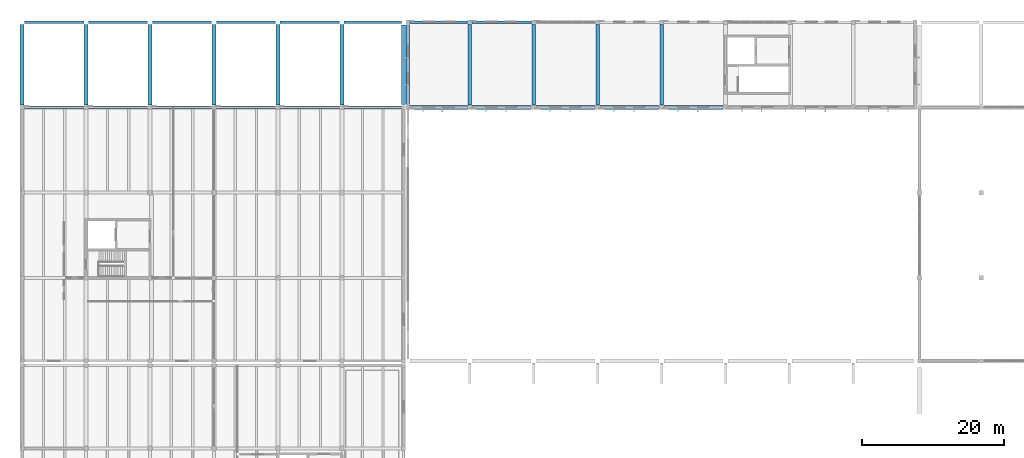
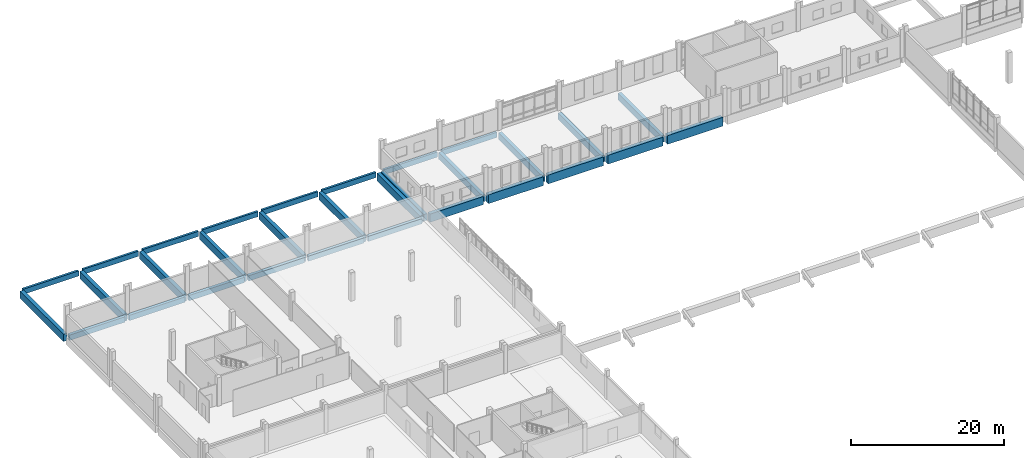
# One storey, part 23 of 63: 31 beams.
"""IFC4 building model written with IfcOpenShell, lengths in metres."""

from ifc_helpers import new_model, si_unit, direction, frame, origin, origin_2d, place, context, subcontext, project, spatial, rectangle, extrude, material, material_profile, profile_set, type_object, element, save


model = new_model("IFC4")

# Units and contexts
model_context = context("Model", 3, precision=1e-05, world=origin(), true_north=direction((0.0, 1.0)))
body_context = subcontext(model_context, "Body", "Model", "MODEL_VIEW")
ifc_project = project(units=[si_unit("LENGTHUNIT", "METRE"), si_unit("AREAUNIT", "SQUARE_METRE"), si_unit("VOLUMEUNIT", "CUBIC_METRE"), si_unit("PLANEANGLEUNIT", "RADIAN"), si_unit("MASSUNIT", "GRAM", prefix="KILO")], contexts=[model_context])

# Site, building, storey
site_placement = place(None, origin())
site = spatial("IfcSite", under=ifc_project, at=site_placement, CompositionType="ELEMENT")
building_placement = place(site_placement, origin())
building = spatial("IfcBuilding", under=site, at=building_placement, Name="Zacnel Wholesale Market", CompositionType="ELEMENT")
storey_placement = place(building_placement, frame((0.0, 0.0, 11.199951171875)))
storey = spatial("IfcBuildingStorey", under=building, at=storey_placement, Name="L03", CompositionType="ELEMENT", Elevation=11.199951171875)

# Beams
ifc_material_1 = material(Name="Precast concrete C45/55", Category="concrete")
ifc_material_profile_1 = material_profile(ifc_material_1, rectangle(XDim=0.5, YDim=1.050048828125, at=origin_2d()), Name="PG 500x1050")
ifc_profile_set_1 = profile_set([ifc_material_profile_1], Name="Precast concrete C45/55")
beam_type_1 = type_object("IfcBeamType", Name="BM-PG1050", PredefinedType="T_BEAM", material=ifc_profile_set_1)
beam_1_placement = place(storey_placement, frame((72.300048828125, 132.375, -0.804931640625), z_axis=(0.0, 1.0, 0.0), x_axis=(-1.0, 0.0, 0.0)))
element("IfcBeam", 1, at=beam_1_placement, inside=storey, type_object=beam_type_1, Name="Precast girder Y-0886", PredefinedType="T_BEAM", context=body_context, shape_type="SweptSolid", body=[
    extrude(rectangle(XDim=0.5, YDim=1.050048828125, at=origin_2d()), origin(), (0.0, 0.0, 1.0), 11.25),
])
for number, where, z_axis, x_axis, name in (
    (2, (81.0, 132.35009765625, -0.804931640625), (0.0, 1.0, 0.0), (-1.0, 0.0, 0.0), "Precast girder Y-0892"),
    (3, (90.0, 132.35009765625, -0.804931640625), (0.0, 1.0, 0.0), (-1.0, 0.0, 0.0), "Precast girder Y-0898"),
    (4, (99.0, 132.35009765625, -0.804931640625), (0.0, 1.0, 0.0), (-1.0, 0.0, 0.0), "Precast girder Y-0904"),
    (5, (108.0, 132.35009765625, -0.804931640625), (0.0, 1.0, 0.0), (-1.0, 0.0, 0.0), "Precast girder Y-0906"),
):
    element("IfcBeam", number, at=place(storey_placement, frame(where, z_axis=z_axis, x_axis=x_axis)), inside=storey, type_object=beam_type_1, Name=name, PredefinedType="T_BEAM", context=body_context, shape_type="SweptSolid", body=[
        extrude(rectangle(XDim=0.5, YDim=1.050048828125, at=origin_2d()), origin(), (0.0, 0.0, 1.0), 11.324951171875),
    ])
ifc_material_2 = material(Name="Precast concrete C45/55", Category="concrete")
ifc_material_profile_2 = material_profile(ifc_material_2, rectangle(XDim=0.550048828125, YDim=1.14990234375, at=origin_2d()), Name="PG 550x1150")
ifc_profile_set_2 = profile_set([ifc_material_profile_2], Name="Precast concrete C45/55")
beam_type_2 = type_object("IfcBeamType", Name="BM-PG1150", PredefinedType="T_BEAM", material=ifc_profile_set_2)
for number, where, z_axis, x_axis, name in (
    (6, (18.0, 132.324951171875, -0.875), (0.0, 1.0, 0.0), (-1.0, 0.0, 0.0), "Precast girder Y-0810"),
    (7, (27.0, 132.324951171875, -0.875), (0.0, 1.0, 0.0), (-1.0, 0.0, 0.0), "Precast girder Y-0822"),
    (8, (36.0, 132.324951171875, -0.875), (0.0, 1.0, 0.0), (-1.0, 0.0, 0.0), "Precast girder Y-0834"),
    (9, (45.0, 132.324951171875, -0.875), (0.0, 1.0, 0.0), (-1.0, 0.0, 0.0), "Precast girder Y-0846"),
    (10, (54.0, 132.324951171875, -0.875), (0.0, 1.0, 0.0), (-1.0, 0.0, 0.0), "Precast girder Y-0858"),
    (11, (63.0, 132.324951171875, -0.875), (0.0, 1.0, 0.0), (-1.0, 0.0, 0.0), "Precast girder Y-0870"),
):
    element("IfcBeam", number, at=place(storey_placement, frame(where, z_axis=z_axis, x_axis=x_axis)), inside=storey, type_object=beam_type_2, Name=name, PredefinedType="T_BEAM", context=body_context, shape_type="SweptSolid", body=[
        extrude(rectangle(XDim=0.550048828125, YDim=1.14990234375, at=origin_2d()), origin(), (0.0, 0.0, 1.0), 11.35009765625),
    ])
beam_2_placement = place(storey_placement, frame((71.699951171875, 132.375, -0.875), z_axis=(0.0, 1.0, 0.0), x_axis=(-1.0, 0.0, 0.0)))
element("IfcBeam", 12, at=beam_2_placement, inside=storey, type_object=beam_type_2, Name="Precast girder Y-0882", PredefinedType="T_BEAM", context=body_context, shape_type="SweptSolid", body=[
    extrude(rectangle(XDim=0.550048828125, YDim=1.14990234375, at=origin_2d()), origin(), (0.0, 0.0, 1.0), 11.25),
])
ifc_material_3 = material(Name="Precast concrete C45/55", Category="concrete")
ifc_material_profile_3 = material_profile(ifc_material_3, rectangle(XDim=0.449951171875, YDim=0.85009765625, at=origin_2d()), Name="PG 450x850")
ifc_profile_set_3 = profile_set([ifc_material_profile_3], Name="Precast concrete C45/55")
beam_type_3 = type_object("IfcBeamType", Name="BM-PG850", PredefinedType="BEAM", material=ifc_profile_set_3)
for number, where, z_axis, x_axis, name in (
    (13, (18.324951171875, 132.0, -0.724853515625), (1.0, 0.0, 0.0), (0.0, 1.0, 0.0), "Precast girder X-0761"),
    (14, (27.324951171875, 132.0, -0.724853515625), (1.0, 0.0, 0.0), (0.0, 1.0, 0.0), "Precast girder X-0762"),
    (15, (36.324951171875, 132.0, -0.724853515625), (1.0, 0.0, 0.0), (0.0, 1.0, 0.0), "Precast girder X-0763"),
    (16, (45.324951171875, 132.0, -0.724853515625), (1.0, 0.0, 0.0), (0.0, 1.0, 0.0), "Precast girder X-0764"),
    (17, (54.324951171875, 132.0, -0.724853515625), (1.0, 0.0, 0.0), (0.0, 1.0, 0.0), "Precast girder X-0765"),
):
    element("IfcBeam", number, at=place(storey_placement, frame(where, z_axis=z_axis, x_axis=x_axis)), inside=storey, type_object=beam_type_3, Name=name, PredefinedType="BEAM", context=body_context, shape_type="SweptSolid", body=[
        extrude(rectangle(XDim=0.449951171875, YDim=0.85009765625, at=origin_2d()), origin(), (0.0, 0.0, 1.0), 8.35009765625),
    ])
beam_3_placement = place(storey_placement, frame((63.324951171875, 132.0, -0.724853515625), z_axis=(1.0, 0.0, 0.0), x_axis=(0.0, 1.0, 0.0)))
element("IfcBeam", 18, at=beam_3_placement, inside=storey, type_object=beam_type_3, Name="Precast girder X-0766", PredefinedType="BEAM", context=body_context, shape_type="SweptSolid", body=[
    extrude(rectangle(XDim=0.449951171875, YDim=0.85009765625, at=origin_2d()), origin(), (0.0, 0.0, 1.0), 8.10009765625),
])
ifc_material_4 = material(Name="Concrete C40/50", Category="concrete")
ifc_material_profile_4 = material_profile(ifc_material_4, rectangle(XDim=0.550048828125, YDim=1.300048828125, at=origin_2d()), Name="PTB 550x1300")
ifc_profile_set_4 = profile_set([ifc_material_profile_4], Name="Concrete C40/50")
beam_type_4 = type_object("IfcBeamType", Name="BM-PTB1300", PredefinedType="BEAM", material=ifc_profile_set_4)
beam_4_placement = place(storey_placement, frame((72.574951171875, 132.0, -0.64990234375), z_axis=(1.0, 0.0, 0.0), x_axis=(0.0, 1.0, 0.0)))
element("IfcBeam", 19, at=beam_4_placement, inside=storey, type_object=beam_type_4, Name="Precast girder X-0767", PredefinedType="BEAM", context=body_context, shape_type="SweptSolid", body=[
    extrude(rectangle(XDim=0.550048828125, YDim=1.300048828125, at=origin_2d()), origin(), (0.0, 0.0, 1.0), 8.074951171875),
])
ifc_material_5 = material(Name="Concrete C40/50", Category="concrete")
ifc_material_profile_5 = material_profile(ifc_material_5, rectangle(XDim=0.60009765625, YDim=1.39990234375, at=origin_2d()), Name="PTB 600x1400")
ifc_profile_set_5 = profile_set([ifc_material_profile_5], Name="Concrete C40/50")
beam_type_5 = type_object("IfcBeamType", Name="BM-PTB1400", PredefinedType="BEAM", material=ifc_profile_set_5)
for number, where, z_axis, x_axis, name in (
    (20, (81.35009765625, 132.0, -0.699951171875), (1.0, 0.0, 0.0), (0.0, 1.0, 0.0), "Precast girder X-0768"),
    (21, (90.35009765625, 132.0, -0.699951171875), (1.0, 0.0, 0.0), (0.0, 1.0, 0.0), "Precast girder X-0769"),
    (22, (99.35009765625, 132.0, -0.699951171875), (1.0, 0.0, 0.0), (0.0, 1.0, 0.0), "Precast girder X-0770"),
    (23, (108.35009765625, 132.0, -0.699951171875), (1.0, 0.0, 0.0), (0.0, 1.0, 0.0), "Precast girder X-0771"),
):
    element("IfcBeam", number, at=place(storey_placement, frame(where, z_axis=z_axis, x_axis=x_axis)), inside=storey, type_object=beam_type_5, Name=name, PredefinedType="BEAM", context=body_context, shape_type="SweptSolid", body=[
        extrude(rectangle(XDim=0.60009765625, YDim=1.39990234375, at=origin_2d()), origin(), (0.0, 0.0, 1.0), 8.2998046875),
    ])
ifc_material_6 = material(Name="Precast concrete C45/55", Category="concrete")
ifc_material_profile_6 = material_profile(ifc_material_6, rectangle(XDim=0.320068359375, YDim=0.820068359375, at=origin_2d()), Name="SP 320x820")
ifc_profile_set_6 = profile_set([ifc_material_profile_6], Name="Precast concrete C45/55")
beam_type_6 = type_object("IfcBeamType", Name="BM-SP820", PredefinedType="SPANDREL", material=ifc_profile_set_6)
for number, where, z_axis, x_axis, name in (
    (24, (18.324951171875, 144.0, -0.7099609375), (1.0, 0.0, 0.0), (0.0, 1.0, 0.0), "Precast girder X-0780"),
    (25, (27.324951171875, 144.0, -0.7099609375), (1.0, 0.0, 0.0), (0.0, 1.0, 0.0), "Precast girder X-0781"),
    (26, (36.324951171875, 144.0, -0.7099609375), (1.0, 0.0, 0.0), (0.0, 1.0, 0.0), "Precast girder X-0782"),
    (27, (45.324951171875, 144.0, -0.7099609375), (1.0, 0.0, 0.0), (0.0, 1.0, 0.0), "Precast girder X-0783"),
    (28, (54.324951171875, 144.0, -0.7099609375), (1.0, 0.0, 0.0), (0.0, 1.0, 0.0), "Precast girder X-0784"),
):
    element("IfcBeam", number, at=place(storey_placement, frame(where, z_axis=z_axis, x_axis=x_axis)), inside=storey, type_object=beam_type_6, Name=name, PredefinedType="SPANDREL", context=body_context, shape_type="SweptSolid", body=[
        extrude(rectangle(XDim=0.320068359375, YDim=0.820068359375, at=origin_2d()), origin(), (0.0, 0.0, 1.0), 8.35009765625),
    ])
for number, where, z_axis, x_axis, name in (
    (29, (63.324951171875, 144.0, -0.7099609375), (1.0, 0.0, 0.0), (0.0, 1.0, 0.0), "Precast girder X-0785"),
    (30, (72.574951171875, 144.0, -0.68994140625), (1.0, 0.0, 0.0), (0.0, 1.0, 0.0), "Precast girder X-0786"),
):
    element("IfcBeam", number, at=place(storey_placement, frame(where, z_axis=z_axis, x_axis=x_axis)), inside=storey, type_object=beam_type_6, Name=name, PredefinedType="SPANDREL", context=body_context, shape_type="SweptSolid", body=[
        extrude(rectangle(XDim=0.320068359375, YDim=0.820068359375, at=origin_2d()), origin(), (0.0, 0.0, 1.0), 8.10009765625),
    ])
beam_5_placement = place(storey_placement, frame((81.324951171875, 144.0, -0.68994140625), z_axis=(1.0, 0.0, 0.0), x_axis=(0.0, 1.0, 0.0)))
element("IfcBeam", 31, at=beam_5_placement, inside=storey, type_object=beam_type_6, Name="Precast girder X-0787", PredefinedType="SPANDREL", context=body_context, shape_type="SweptSolid", body=[
    extrude(rectangle(XDim=0.320068359375, YDim=0.820068359375, at=origin_2d()), origin(), (0.0, 0.0, 1.0), 8.35009765625),
])

save(model, "model.ifc")
